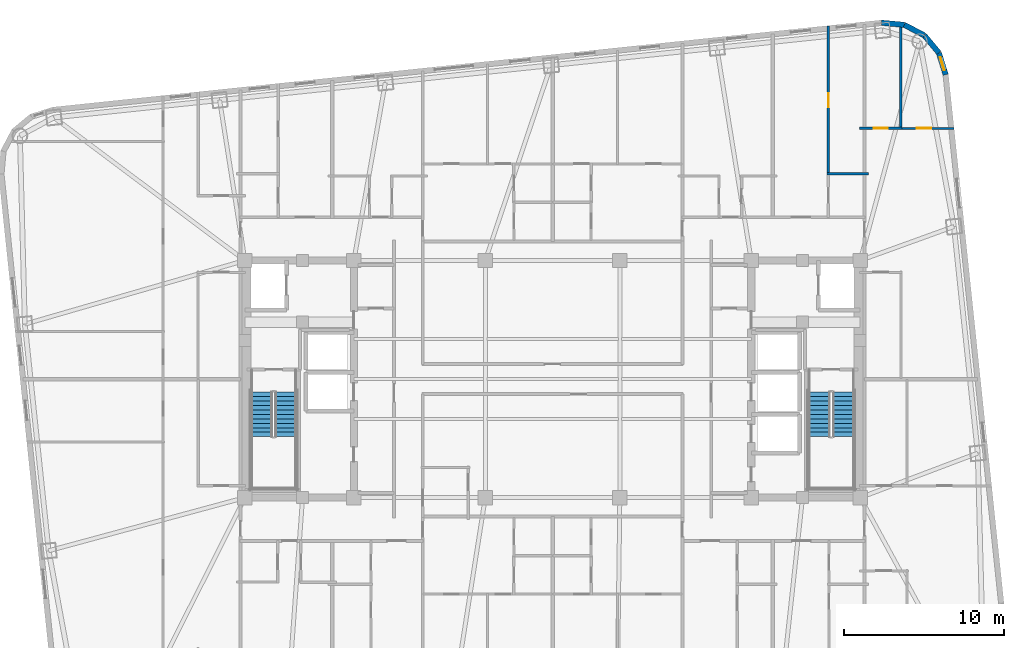
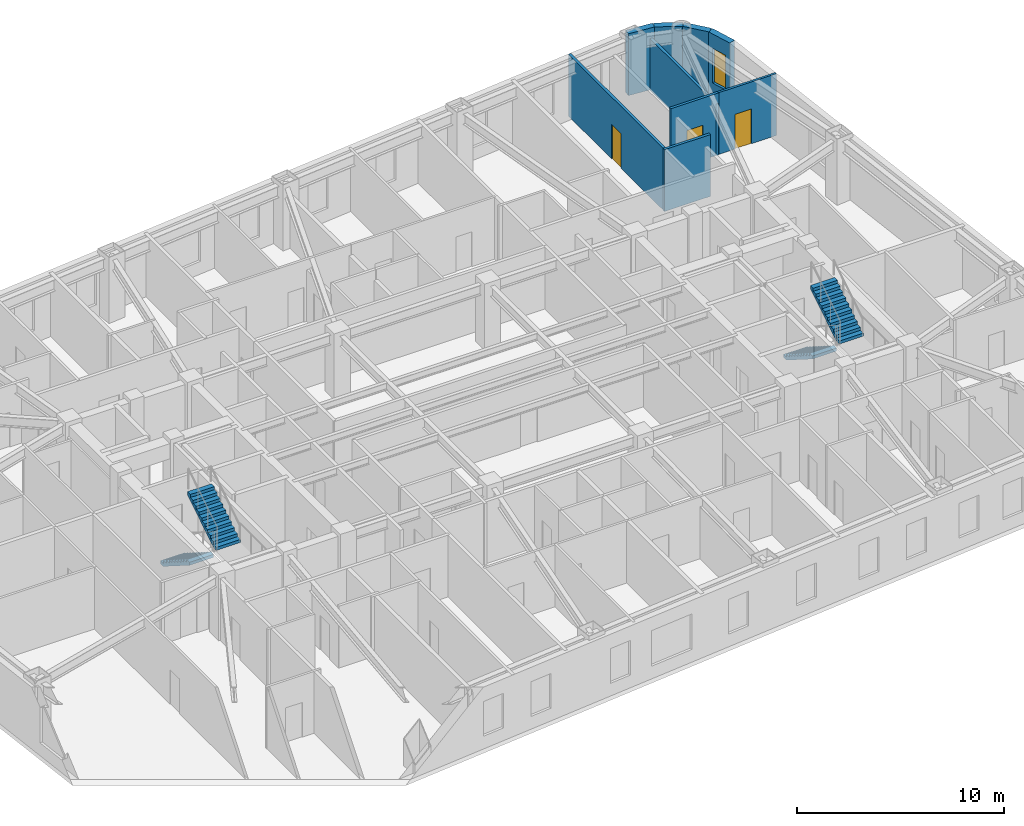
# One storey, part 10 of 12: 9 walls, 4 stair flights, 3 doors, 1 window, 4 openings, 2 elements without a shape of their own.
"""IFC4 building model written with IfcOpenShell, lengths in metres."""

from ifc_helpers import new_model, si_unit, direction, frame, frame_2d, origin, place, context, subcontext, project, spatial, polyline, rectangle, outline, extrude, material, layer, layer_set, type_object, element, fill, aggregate, save


model = new_model("IFC4")

# Units and contexts
model_context = context("Model", 3, precision=1e-05, world=origin(), true_north=direction((0.0, 1.0)))
body_context = subcontext(model_context, "Body", "Model", "MODEL_VIEW")
ifc_project = project(units=[si_unit("LENGTHUNIT", "METRE"), si_unit("AREAUNIT", "SQUARE_METRE"), si_unit("VOLUMEUNIT", "CUBIC_METRE"), si_unit("PLANEANGLEUNIT", "RADIAN"), si_unit("MASSUNIT", "GRAM", prefix="KILO")], contexts=[model_context])

# Site, building, storey
site_placement = place(None, origin())
site = spatial("IfcSite", under=ifc_project, at=site_placement, CompositionType="ELEMENT")
building_placement = place(site_placement, origin())
building = spatial("IfcBuilding", under=site, at=building_placement, Name="Voryun Gate Residences", CompositionType="ELEMENT")
storey_placement = place(building_placement, frame((0.0, 0.0, 179.39990234375)))
storey = spatial("IfcBuildingStorey", under=building, at=storey_placement, Name="L44", CompositionType="ELEMENT", Elevation=179.39990234375)

# Walls
ifc_material_1 = material(Name="Charcoal terracotta masonry", Category="masonry")
ifc_layer_1 = layer(ifc_material_1, 0.340087890625, Name="W_EXT_TERRACOTTA_340")
ifc_layer_set_1 = layer_set([ifc_layer_1], Name="Charcoal terracotta masonry")
wall_type_1 = type_object("IfcWallType", Name="W_EXT_TERRACOTTA_340", PredefinedType="ELEMENTEDWALL", material=ifc_layer_set_1)
wall_1_placement = place(storey_placement, frame((20.5263671875, 22.235107421875, 0.0), z_axis=(0.0, 0.0, 1.0), x_axis=(0.995800460351, -0.091550222087, 0.0)))
element("IfcWall", 1, at=wall_1_placement, inside=storey, type_object=wall_type_1, Name="Exterior wall WEXT-L44-12", PredefinedType="ELEMENTEDWALL", context=body_context, shape_type="SweptSolid", body=[
    extrude(rectangle(XDim=1.43212890625, YDim=0.340087890625, at=frame_2d((0.716064453125, 0.0))), origin(), (0.0, 0.0, 1.0), 3.650146484375),
])
wall_2_placement = place(storey_placement, frame((21.952392578125, 22.10400390625, 0.0), z_axis=(0.0, 0.0, 1.0), x_axis=(0.885023004245, -0.465547292933, 0.0)))
element("IfcWall", 2, at=wall_2_placement, inside=storey, type_object=wall_type_1, Name="Exterior wall WEXT-L44-13", PredefinedType="ELEMENTEDWALL", context=body_context, shape_type="SweptSolid", body=[
    extrude(rectangle(XDim=1.414794921875, YDim=0.340087890625, at=frame_2d((0.70751953125, 0.0))), origin(), (0.0, 0.0, 1.0), 3.650146484375),
])
wall_3_placement = place(storey_placement, frame((23.20458984375, 21.4453125, 0.0), z_axis=(0.0, 0.0, 1.0), x_axis=(0.639539337522, -0.768758372808, 0.0)))
element("IfcWall", 3, at=wall_3_placement, inside=storey, type_object=wall_type_1, Name="Exterior wall WEXT-L44-14", PredefinedType="ELEMENTEDWALL", context=body_context, shape_type="SweptSolid", body=[
    extrude(rectangle(XDim=1.4150390625, YDim=0.340087890625, at=frame_2d((0.70751953125, 0.0))), origin(), (0.0, 0.0, 1.0), 3.650146484375),
])

# Wall, opening, window
wall_4_placement = place(storey_placement, frame((24.109619140625, 20.357421875, 0.0), z_axis=(0.0, 0.0, 1.0), x_axis=(0.296420660287, -0.955057481074, 0.0)))
wall_4 = element("IfcWall", 4, at=wall_4_placement, inside=storey, type_object=wall_type_1, Name="Exterior wall WEXT-L44-15", PredefinedType="ELEMENTEDWALL", context=body_context, shape_type="SweptSolid", body=[
    extrude(rectangle(XDim=1.432373046875, YDim=0.340087890625, at=frame_2d((0.71630859375, 0.0))), origin(), (0.0, 0.0, 1.0), 3.650146484375),
])
opening_1_placement = place(wall_4_placement, frame((0.291015625, 0.0, 0.75)))
opening_1 = element("IfcOpeningElement", 5, at=opening_1_placement, cuts=wall_4, Name="Opening WN9", PredefinedType="OPENING", context=body_context, shape_type="SweptSolid", body=[
    extrude(rectangle(XDim=0.85009765625, YDim=2.050048828125, at=frame_2d((0.425048828125, 1.02490234375))), frame((0.0, 0.179931640625, 0.0), z_axis=(0.0, -1.0, 0.0), x_axis=(1.0, 0.0, 0.0)), (0.0, 0.0, 1.0), 0.360107421875),
])
ifc_material_2 = material(Name="Laminated low-E glass", Category="glass")
window_type = type_object("IfcWindowType", Name="WN_RES_CASEMENT_850", PartitioningType="SINGLE_PANEL", PredefinedType="WINDOW", material=ifc_material_2)
window_placement = place(opening_1_placement, origin())
window = element("IfcWindow", 6, at=window_placement, inside=storey, type_object=window_type, Name="Window WN-L44-DWFIX-28", OverallHeight=2.050048828125, OverallWidth=0.85009765625, PartitioningType="SINGLE_PANEL", PredefinedType="WINDOW", context=body_context, shape_type="SweptSolid", body=[
    extrude(rectangle(XDim=0.85009765625, YDim=2.050048828125, at=frame_2d((0.425048828125, 1.02490234375))), frame((0.0, 0.030029296875, 0.0), z_axis=(0.0, -1.0, 0.0), x_axis=(1.0, 0.0, 0.0)), (0.0, 0.0, 1.0), 0.06005859375),
])
fill(opening_1, window)

# Wall, opening, door
ifc_material_3 = material(Name="Gypsum acoustic partition")
ifc_layer_2 = layer(ifc_material_3, 0.125, Name="W_UNIT_PART_125")
ifc_layer_set_2 = layer_set([ifc_layer_2], Name="Gypsum acoustic partition")
wall_type_2 = type_object("IfcWallType", Name="W_UNIT_PART_125", PredefinedType="PARTITIONING", material=ifc_layer_set_2)
wall_5_placement = place(storey_placement, frame((21.6689453125, 15.64208984375, 0.0), z_axis=(0.0, 0.0, 1.0), x_axis=(1.0, 0.0, 0.0)))
wall_5 = element("IfcWall", 7, at=wall_5_placement, inside=storey, type_object=wall_type_2, Name="Partition wall WP-L44-E2-OHZ", PredefinedType="PARTITIONING", context=body_context, shape_type="SweptSolid", body=[
    extrude(rectangle(XDim=3.367919921875, YDim=0.125, at=frame_2d((1.68408203125, 0.0))), origin(), (0.0, 0.0, 1.0), 3.650146484375),
])
opening_2_placement = place(wall_5_placement, frame((1.065673828125, 0.0, 0.0)))
opening_2 = element("IfcOpeningElement", 8, at=opening_2_placement, cuts=wall_5, Name="Opening D-INT-2", PredefinedType="OPENING", context=body_context, shape_type="SweptSolid", body=[
    extrude(rectangle(XDim=0.89990234375, YDim=2.050048828125, at=frame_2d((0.449951171875, 1.02490234375))), frame((0.0, 0.072509765625, 0.0), z_axis=(0.0, -1.0, 0.0), x_axis=(1.0, 0.0, 0.0)), (0.0, 0.0, 1.0), 0.14501953125),
])
ifc_material_4 = material(Name="Architectural oak veneer")
door_type = type_object("IfcDoorType", Name="DR_INT_BATH_900", OperationType="NOTDEFINED", PredefinedType="DOOR", material=ifc_material_4)
door_1_placement = place(opening_2_placement, origin())
door_1 = element("IfcDoor", 9, at=door_1_placement, inside=storey, type_object=door_type, Name="Door DR-L44-E2-DMB", OperationType="SINGLE_SWING_LEFT", OverallHeight=2.050048828125, OverallWidth=0.89990234375, PredefinedType="DOOR", context=body_context, shape_type="SweptSolid", body=[
    extrude(rectangle(XDim=0.89990234375, YDim=2.050048828125, at=frame_2d((0.449951171875, 1.02490234375))), frame((0.0, 0.02490234375, 0.0), z_axis=(0.0, -1.0, 0.0), x_axis=(1.0, 0.0, 0.0)), (0.0, 0.0, 1.0), 0.050048828125),
])
fill(opening_2, door_1)

# Wall
ifc_material_5 = material(Name="Gypsum moisture-resistant partition")
ifc_layer_3 = layer(ifc_material_5, 0.14990234375, Name="W_WET_PLUMB_150")
ifc_layer_set_3 = layer_set([ifc_layer_3], Name="Gypsum moisture-resistant partition")
wall_type_3 = type_object("IfcWallType", Name="W_WET_PLUMB_150", PredefinedType="PLUMBINGWALL", material=ifc_layer_set_3)
wall_6_placement = place(storey_placement, frame((17.135986328125, 12.800048828125, 0.0), z_axis=(0.0, 0.0, 1.0), x_axis=(1.0, 0.0, 0.0)))
element("IfcWall", 10, at=wall_6_placement, inside=storey, type_object=wall_type_3, Name="Partition wall WP-L44-N5-SKB", PredefinedType="PLUMBINGWALL", context=body_context, shape_type="SweptSolid", body=[
    extrude(rectangle(XDim=2.583984375, YDim=0.14990234375, at=frame_2d((1.2919921875, 0.0))), origin(), (0.0, 0.0, 1.0), 3.650146484375),
])

# Wall, opening, door
wall_7_placement = place(storey_placement, frame((17.216064453125, 12.760009765625, 0.0), z_axis=(0.0, 0.0, 1.0), x_axis=(0.0, 1.0, 0.0)))
wall_7 = element("IfcWall", 11, at=wall_7_placement, inside=storey, type_object=wall_type_3, Name="Partition wall WP-L44-N5-SVT2", PredefinedType="PLUMBINGWALL", context=body_context, shape_type="SweptSolid", body=[
    extrude(rectangle(XDim=9.278076171875, YDim=0.14990234375, at=frame_2d((4.63916015625, 0.0))), origin(), (0.0, 0.0, 1.0), 3.650146484375),
])
opening_3_placement = place(wall_7_placement, frame((4.18896484375, 0.0, 0.0)))
opening_3 = element("IfcOpeningElement", 12, at=opening_3_placement, cuts=wall_7, Name="Opening D-INT-2", PredefinedType="OPENING", context=body_context, shape_type="SweptSolid", body=[
    extrude(rectangle(XDim=0.89990234375, YDim=2.050048828125, at=frame_2d((0.449951171875, 1.02490234375))), frame((0.0, 0.0849609375, 0.0), z_axis=(0.0, -1.0, 0.0), x_axis=(1.0, 0.0, 0.0)), (0.0, 0.0, 1.0), 0.169921875),
])
door_2_placement = place(opening_3_placement, origin())
door_2 = element("IfcDoor", 13, at=door_2_placement, inside=storey, type_object=door_type, Name="Door DR-L44-N5-DK", OperationType="SINGLE_SWING_RIGHT", OverallHeight=2.050048828125, OverallWidth=0.89990234375, PredefinedType="DOOR", context=body_context, shape_type="SweptSolid", body=[
    extrude(rectangle(XDim=0.89990234375, YDim=2.050048828125, at=frame_2d((0.449951171875, 1.02490234375))), frame((0.0, 0.02490234375, 0.0), z_axis=(0.0, -1.0, 0.0), x_axis=(1.0, 0.0, 0.0)), (0.0, 0.0, 1.0), 0.050048828125),
])
fill(opening_3, door_2)

wall_8_placement = place(storey_placement, frame((19.14990234375, 15.64208984375, 0.0), z_axis=(0.0, 0.0, 1.0), x_axis=(1.0, 0.0, 0.0)))
wall_8 = element("IfcWall", 14, at=wall_8_placement, inside=storey, type_object=wall_type_3, Name="Partition wall WP-L44-E2-IBB", PredefinedType="PLUMBINGWALL", context=body_context, shape_type="SweptSolid", body=[
    extrude(rectangle(XDim=2.6591796875, YDim=0.14990234375, at=frame_2d((1.32958984375, 0.0))), origin(), (0.0, 0.0, 1.0), 3.650146484375),
])
opening_4_placement = place(wall_8_placement, frame((0.87939453125, 0.0, 0.0)))
opening_4 = element("IfcOpeningElement", 15, at=opening_4_placement, cuts=wall_8, Name="Opening D-INT-2", PredefinedType="OPENING", context=body_context, shape_type="SweptSolid", body=[
    extrude(rectangle(XDim=0.89990234375, YDim=2.050048828125, at=frame_2d((0.449951171875, 1.02490234375))), frame((0.0, 0.0849609375, 0.0), z_axis=(0.0, -1.0, 0.0), x_axis=(1.0, 0.0, 0.0)), (0.0, 0.0, 1.0), 0.169921875),
])
door_3_placement = place(opening_4_placement, origin())
door_3 = element("IfcDoor", 16, at=door_3_placement, inside=storey, type_object=door_type, Name="Door DR-L44-E2-DB", OperationType="SINGLE_SWING_RIGHT", OverallHeight=2.050048828125, OverallWidth=0.89990234375, PredefinedType="DOOR", context=body_context, shape_type="SweptSolid", body=[
    extrude(rectangle(XDim=0.89990234375, YDim=2.050048828125, at=frame_2d((0.449951171875, 1.02490234375))), frame((0.0, 0.02490234375, 0.0), z_axis=(0.0, -1.0, 0.0), x_axis=(1.0, 0.0, 0.0)), (0.0, 0.0, 1.0), 0.050048828125),
])
fill(opening_4, door_3)

# Wall
wall_9_placement = place(storey_placement, frame((21.72900390625, 15.56201171875, 0.0), z_axis=(0.0, 0.0, 1.0), x_axis=(0.0, 1.0, 0.0)))
element("IfcWall", 17, at=wall_9_placement, inside=storey, type_object=wall_type_3, Name="Partition wall WP-L44-E2-VTB", PredefinedType="PLUMBINGWALL", context=body_context, shape_type="SweptSolid", body=[
    extrude(rectangle(XDim=6.71337890625, YDim=0.14990234375, at=frame_2d((3.356689453125, 0.0))), origin(), (0.0, 0.0, 1.0), 3.0400390625),
])

# Stair, stair flights
ifc_material_6 = material(Name="Concrete C40/50", Category="concrete")
stair_type = type_object("IfcStairType", Name="STR_CORE_DOGLEG_1350", PredefinedType="HALF_TURN_STAIR", material=ifc_material_6)
stair_1_placement = place(storey_placement, origin())
stair_1 = element("IfcStair", 18, at=stair_1_placement, inside=storey, type_object=stair_type, Name="L44 Special Escape Stair ST-W1", PredefinedType="HALF_TURN_STAIR")
ifc_material_7 = material(Name="Concrete C40/50", Category="concrete")
stair_flight_type = type_object("IfcStairFlightType", Name="FLT_CORE_1350", PredefinedType="STRAIGHT", material=ifc_material_7)
stair_flight_1_placement = place(storey_placement, frame((-18.14990234375, -0.800048828125, 0.0), z_axis=(0.0, 0.0, 1.0), x_axis=(0.0, -1.0, 0.0)))
stair_flight_1 = element("IfcStairFlight", 19, at=stair_flight_1_placement, type_object=stair_flight_type, Name="ST-W1 flight 1", NumberOfRisers=11, NumberOfTreads=10, PredefinedType="STRAIGHT", RiserHeight=0.177272727, TreadLength=0.28, context=body_context, shape_type="SweptSolid", body=[
    extrude(outline(polyline([(0.0, 0.0), (0.0, 0.17724609375), (0.280029296875, 0.17724609375), (0.280029296875, 0.3544921875), (0.56005859375, 0.3544921875), (0.56005859375, 0.53173828125), (0.840087890625, 0.53173828125), (0.840087890625, 0.708984375), (1.1201171875, 0.708984375), (1.1201171875, 0.886474609375), (1.39990234375, 0.886474609375), (1.39990234375, 1.063720703125), (1.679931640625, 1.063720703125), (1.679931640625, 1.240966796875), (1.9599609375, 1.240966796875), (1.9599609375, 1.418212890625), (2.239990234375, 1.418212890625), (2.239990234375, 1.595458984375), (2.52001953125, 1.595458984375), (2.52001953125, 1.772705078125), (2.800048828125, 1.772705078125), (2.800048828125, 1.949951171875), (2.800048828125, 1.59521484375), (0.2802734375, 0.0), (0.0, 0.0)])), frame((0.0, 0.675048828125, 0.0), z_axis=(0.0, -1.0, 0.0), x_axis=(1.0, 0.0, 0.0)), (0.0, 0.0, 1.0), 1.35009765625),
])
stair_flight_2_placement = place(storey_placement, frame((-16.64990234375, -3.60009765625, 1.9501953125), z_axis=(0.0, 0.0, 1.0), x_axis=(0.0, 1.0, 0.0)))
stair_flight_2 = element("IfcStairFlight", 20, at=stair_flight_2_placement, type_object=stair_flight_type, Name="ST-W1 flight 2", NumberOfRisers=11, NumberOfTreads=10, PredefinedType="STRAIGHT", RiserHeight=0.177272727, TreadLength=0.28, context=body_context, shape_type="SweptSolid", body=[
    extrude(outline(polyline([(0.0, 0.0), (0.0, 0.17724609375), (0.280029296875, 0.17724609375), (0.280029296875, 0.3544921875), (0.56005859375, 0.3544921875), (0.56005859375, 0.53173828125), (0.840087890625, 0.53173828125), (0.840087890625, 0.708984375), (1.1201171875, 0.708984375), (1.1201171875, 0.886474609375), (1.39990234375, 0.886474609375), (1.39990234375, 1.063720703125), (1.679931640625, 1.063720703125), (1.679931640625, 1.240966796875), (1.9599609375, 1.240966796875), (1.9599609375, 1.418212890625), (2.239990234375, 1.418212890625), (2.239990234375, 1.595458984375), (2.52001953125, 1.595458984375), (2.52001953125, 1.772705078125), (2.800048828125, 1.772705078125), (2.800048828125, 1.949951171875), (2.800048828125, 1.59521484375), (0.2802734375, 0.0), (0.0, 0.0)])), frame((0.0, 0.675048828125, 0.0), z_axis=(0.0, -1.0, 0.0), x_axis=(1.0, 0.0, 0.0)), (0.0, 0.0, 1.0), 1.35009765625),
])
aggregate(stair_1, [stair_flight_1, stair_flight_2])

stair_2_placement = place(storey_placement, origin())
stair_2 = element("IfcStair", 21, at=stair_2_placement, inside=storey, type_object=stair_type, Name="L44 Special Escape Stair ST-E1", PredefinedType="HALF_TURN_STAIR")
stair_flight_3_placement = place(storey_placement, frame((16.64990234375, -0.800048828125, 0.0), z_axis=(0.0, 0.0, 1.0), x_axis=(0.0, -1.0, 0.0)))
stair_flight_3 = element("IfcStairFlight", 22, at=stair_flight_3_placement, type_object=stair_flight_type, Name="ST-E1 flight 1", NumberOfRisers=11, NumberOfTreads=10, PredefinedType="STRAIGHT", RiserHeight=0.177272727, TreadLength=0.28, context=body_context, shape_type="SweptSolid", body=[
    extrude(outline(polyline([(0.0, 0.0), (0.0, 0.17724609375), (0.280029296875, 0.17724609375), (0.280029296875, 0.3544921875), (0.56005859375, 0.3544921875), (0.56005859375, 0.53173828125), (0.840087890625, 0.53173828125), (0.840087890625, 0.708984375), (1.1201171875, 0.708984375), (1.1201171875, 0.886474609375), (1.39990234375, 0.886474609375), (1.39990234375, 1.063720703125), (1.679931640625, 1.063720703125), (1.679931640625, 1.240966796875), (1.9599609375, 1.240966796875), (1.9599609375, 1.418212890625), (2.239990234375, 1.418212890625), (2.239990234375, 1.595458984375), (2.52001953125, 1.595458984375), (2.52001953125, 1.772705078125), (2.800048828125, 1.772705078125), (2.800048828125, 1.949951171875), (2.800048828125, 1.59521484375), (0.2802734375, 0.0), (0.0, 0.0)])), frame((0.0, 0.675048828125, 0.0), z_axis=(0.0, -1.0, 0.0), x_axis=(1.0, 0.0, 0.0)), (0.0, 0.0, 1.0), 1.35009765625),
])
stair_flight_4_placement = place(storey_placement, frame((18.14990234375, -3.60009765625, 1.9501953125), z_axis=(0.0, 0.0, 1.0), x_axis=(0.0, 1.0, 0.0)))
stair_flight_4 = element("IfcStairFlight", 23, at=stair_flight_4_placement, type_object=stair_flight_type, Name="ST-E1 flight 2", NumberOfRisers=11, NumberOfTreads=10, PredefinedType="STRAIGHT", RiserHeight=0.177272727, TreadLength=0.28, context=body_context, shape_type="SweptSolid", body=[
    extrude(outline(polyline([(0.0, 0.0), (0.0, 0.17724609375), (0.280029296875, 0.17724609375), (0.280029296875, 0.3544921875), (0.56005859375, 0.3544921875), (0.56005859375, 0.53173828125), (0.840087890625, 0.53173828125), (0.840087890625, 0.708984375), (1.1201171875, 0.708984375), (1.1201171875, 0.886474609375), (1.39990234375, 0.886474609375), (1.39990234375, 1.063720703125), (1.679931640625, 1.063720703125), (1.679931640625, 1.240966796875), (1.9599609375, 1.240966796875), (1.9599609375, 1.418212890625), (2.239990234375, 1.418212890625), (2.239990234375, 1.595458984375), (2.52001953125, 1.595458984375), (2.52001953125, 1.772705078125), (2.800048828125, 1.772705078125), (2.800048828125, 1.949951171875), (2.800048828125, 1.59521484375), (0.2802734375, 0.0), (0.0, 0.0)])), frame((0.0, 0.675048828125, 0.0), z_axis=(0.0, -1.0, 0.0), x_axis=(1.0, 0.0, 0.0)), (0.0, 0.0, 1.0), 1.35009765625),
])
aggregate(stair_2, [stair_flight_3, stair_flight_4])

save(model, "model.ifc")
